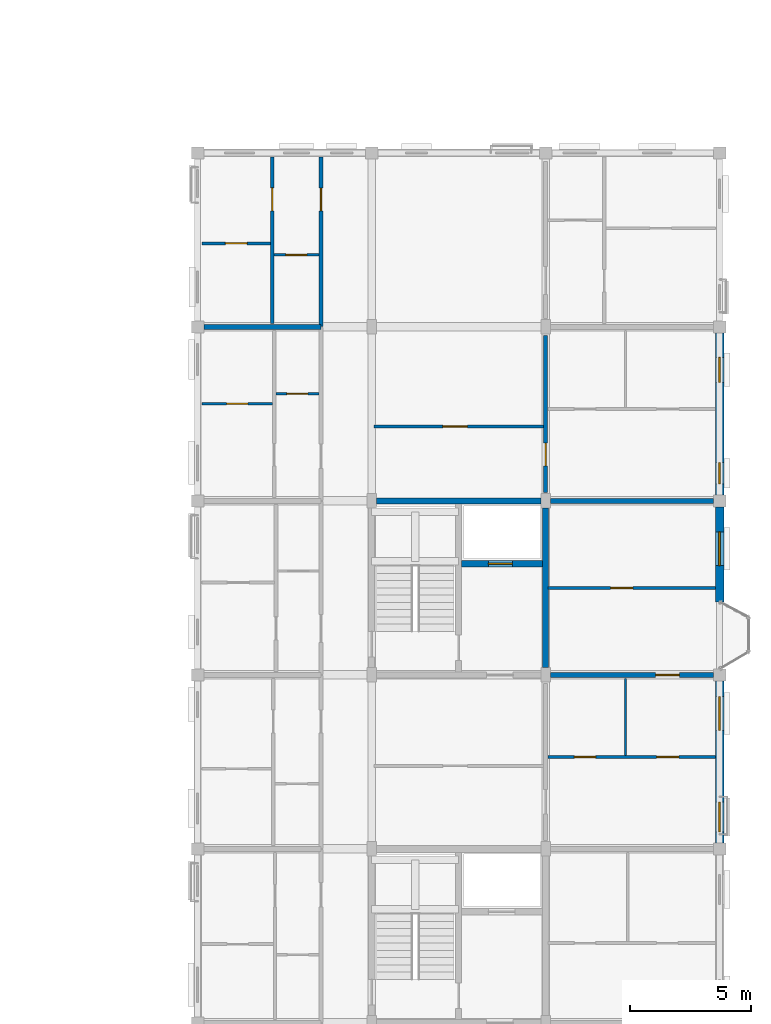
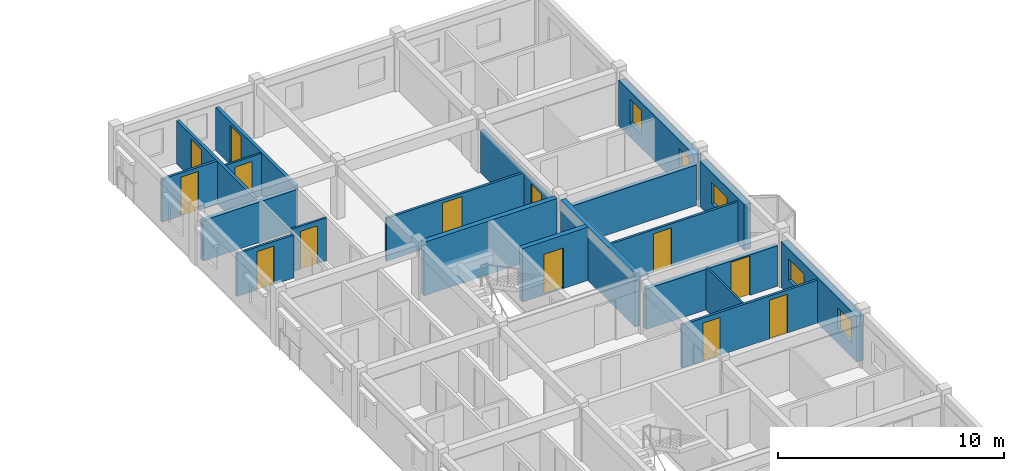
# One storey, part 50 of 64: 20 walls, 13 doors, 5 windows, 18 openings.
"""IFC4 building model written with IfcOpenShell, lengths in metres."""

from ifc_helpers import new_model, si_unit, direction, frame, frame_2d, origin, place, context, subcontext, project, spatial, rectangle, extrude, material, layer, layer_set, type_object, element, fill, save


model = new_model("IFC4")

# Units and contexts
model_context = context("Model", 3, precision=1e-05, world=origin(), true_north=direction((0.0, 1.0)))
body_context = subcontext(model_context, "Body", "Model", "MODEL_VIEW")
ifc_project = project(units=[si_unit("LENGTHUNIT", "METRE"), si_unit("AREAUNIT", "SQUARE_METRE"), si_unit("VOLUMEUNIT", "CUBIC_METRE"), si_unit("PLANEANGLEUNIT", "RADIAN"), si_unit("MASSUNIT", "GRAM", prefix="KILO"), si_unit("THERMODYNAMICTEMPERATUREUNIT", "KELVIN"), si_unit("POWERUNIT", "WATT")], contexts=[model_context])

# Site, building, storey
site_placement = place(None, origin())
site = spatial("IfcSite", under=ifc_project, at=site_placement, CompositionType="ELEMENT")
building_placement = place(site_placement, origin())
building = spatial("IfcBuilding", under=site, at=building_placement, Name="Tavuni Mirador Residences", CompositionType="ELEMENT")
storey_placement = place(building_placement, frame((0.0, 0.0, 26.550048828125)))
storey = spatial("IfcBuildingStorey", under=building, at=storey_placement, Name="L08", CompositionType="ELEMENT", Elevation=26.550048828125)

# Walls
ifc_material_1 = material(Name="Precast concrete C40/50", Category="concrete")
ifc_layer_1 = layer(ifc_material_1, 0.25, Name="Precast concrete C40/50", Category="concrete")
ifc_layer_set_1 = layer_set([ifc_layer_1], Name="Precast concrete C40/50")
wall_type_1 = type_object("IfcWallType", Name="WT-COR250", PredefinedType="SHEAR", material=ifc_layer_set_1)
wall_1_placement = place(storey_placement, frame((104.60009765625, 115.199951171875, 0.0), z_axis=(0.0, 0.0, 1.0), x_axis=(1.0, 0.0, 0.0)))
element("IfcWall", 1, at=wall_1_placement, inside=storey, type_object=wall_type_1, Name="CWALL-C8-L08-N", PredefinedType="SHEAR", context=body_context, shape_type="SweptSolid", body=[
    extrude(rectangle(XDim=6.7998046875, YDim=0.25, at=frame_2d((3.39990234375, 0.0))), origin(), (0.0, 0.0, 1.0), 2.889892578125),
])
wall_2_placement = place(storey_placement, frame((111.60009765625, 108.300048828125, 0.0), z_axis=(0.0, 0.0, 1.0), x_axis=(0.0, 1.0, 0.0)))
element("IfcWall", 2, at=wall_2_placement, inside=storey, type_object=wall_type_1, Name="CWALL-C8-L08-E", PredefinedType="SHEAR", context=body_context, shape_type="SweptSolid", body=[
    extrude(rectangle(XDim=6.599853515625, YDim=0.25, at=frame_2d((3.2998046875, 0.0))), origin(), (0.0, 0.0, 1.0), 2.889892578125),
])

# Wall, opening, door
wall_3_placement = place(storey_placement, frame((108.125, 112.60009765625, 0.0), z_axis=(0.0, 0.0, 1.0), x_axis=(1.0, 0.0, 0.0)))
wall_3 = element("IfcWall", 3, at=wall_3_placement, inside=storey, type_object=wall_type_1, Name="CWALL-C8-L08-SHF", PredefinedType="SHEAR", context=body_context, shape_type="SweptSolid", body=[
    extrude(rectangle(XDim=3.35009765625, YDim=0.25, at=frame_2d((1.675048828125, 0.0))), origin(), (0.0, 0.0, 1.0), 2.889892578125),
])
opening_1_placement = place(wall_3_placement, frame((1.10009765625, 0.0, 0.0)))
opening_1 = element("IfcOpeningElement", 4, at=opening_1_placement, cuts=wall_3, Name="Opening LD-02", PredefinedType="OPENING", context=body_context, shape_type="SweptSolid", body=[
    extrude(rectangle(XDim=1.0, YDim=2.199951171875, at=frame_2d((0.5, 1.10009765625))), frame((0.0, 0.135009765625, 0.0), z_axis=(0.0, -1.0, 0.0), x_axis=(1.0, 0.0, 0.0)), (0.0, 0.0, 1.0), 0.27001953125),
])
ifc_material_2 = material(Name="Structural steel S355", Category="steel")
door_type_1 = type_object("IfcDoorType", Name="DT-LD-PAX", OperationType="SLIDING_TO_LEFT", PredefinedType="DOOR", material=ifc_material_2)
door_1_placement = place(opening_1_placement, origin())
door_1 = element("IfcDoor", 5, at=door_1_placement, inside=storey, type_object=door_type_1, Name="Lift landing door PL-D1 L08", OperationType="SLIDING_TO_LEFT", OverallHeight=2.199951171875, OverallWidth=1.0, PredefinedType="DOOR", context=body_context, shape_type="SweptSolid", body=[
    extrude(rectangle(XDim=1.0, YDim=2.199951171875, at=frame_2d((0.5, 1.10009765625))), frame((0.0, 0.02490234375, 0.0), z_axis=(0.0, -1.0, 0.0), x_axis=(1.0, 0.0, 0.0)), (0.0, 0.0, 1.0), 0.050048828125),
])
fill(opening_1, door_1)

ifc_layer_2 = layer(ifc_material_1, 0.1650390625, Name="Precast concrete C40/50", Category="concrete")
ifc_layer_set_2 = layer_set([ifc_layer_2], Name="Precast concrete C40/50")
wall_type_2 = type_object("IfcWallType", Name="WT-CORR165", PredefinedType="PARTITIONING", material=ifc_layer_set_2)
wall_4_placement = place(storey_placement, frame((102.300048828125, 122.419921875, 0.0), z_axis=(0.0, 0.0, 1.0), x_axis=(0.0, 1.0, 0.0)))
wall_4 = element("IfcWall", 6, at=wall_4_placement, inside=storey, type_object=wall_type_2, Name="CORW-BLK-D-L08-0-05", PredefinedType="PARTITIONING", context=body_context, shape_type="SweptSolid", body=[
    extrude(rectangle(XDim=7.005126953125, YDim=0.1650390625, at=frame_2d((3.50244140625, 0.0))), origin(), (0.0, 0.0, 1.0), 2.324951171875),
])
opening_2_placement = place(wall_4_placement, frame((4.780029296875, 0.0, 0.0)))
opening_2 = element("IfcOpeningElement", 7, at=opening_2_placement, cuts=wall_4, Name="Opening D-19", PredefinedType="OPENING", context=body_context, shape_type="SweptSolid", body=[
    extrude(rectangle(XDim=0.93994140625, YDim=2.1201171875, at=frame_2d((0.469970703125, 1.06005859375))), frame((0.0, 0.092529296875, 0.0), z_axis=(0.0, -1.0, 0.0), x_axis=(1.0, 0.0, 0.0)), (0.0, 0.0, 1.0), 0.18505859375),
])
ifc_material_3 = material(Name="Solid core iroko timber", Category="wood")
door_type_2 = type_object("IfcDoorType", Name="DT-FD60-940", OperationType="NOTDEFINED", PredefinedType="DOOR", material=ifc_material_3)
door_2_placement = place(opening_2_placement, origin())
door_2 = element("IfcDoor", 8, at=door_2_placement, inside=storey, type_object=door_type_2, Name="DR-2908", OperationType="SINGLE_SWING_LEFT", OverallHeight=2.1201171875, OverallWidth=0.93994140625, PredefinedType="DOOR", context=body_context, shape_type="SweptSolid", body=[
    extrude(rectangle(XDim=0.93994140625, YDim=2.1201171875, at=frame_2d((0.469970703125, 1.06005859375))), frame((0.0, 0.02490234375, 0.0), z_axis=(0.0, -1.0, 0.0), x_axis=(1.0, 0.0, 0.0)), (0.0, 0.0, 1.0), 0.050048828125),
])
fill(opening_2, door_2)

wall_5_placement = place(storey_placement, frame((111.60009765625, 115.550048828125, 0.0), z_axis=(0.0, 0.0, 1.0), x_axis=(0.0, 1.0, 0.0)))
wall_5 = element("IfcWall", 9, at=wall_5_placement, inside=storey, type_object=wall_type_2, Name="CORW-BLK-D-L08-1-04", PredefinedType="PARTITIONING", context=body_context, shape_type="SweptSolid", body=[
    extrude(rectangle(XDim=6.5, YDim=0.1650390625, at=frame_2d((3.25, 0.0))), origin(), (0.0, 0.0, 1.0), 2.324951171875),
])
opening_3_placement = place(wall_5_placement, frame((1.10009765625, 0.0, 0.0)))
opening_3 = element("IfcOpeningElement", 10, at=opening_3_placement, cuts=wall_5, Name="Opening D-19", PredefinedType="OPENING", context=body_context, shape_type="SweptSolid", body=[
    extrude(rectangle(XDim=0.93994140625, YDim=2.1201171875, at=frame_2d((0.469970703125, 1.06005859375))), frame((0.0, 0.092529296875, 0.0), z_axis=(0.0, -1.0, 0.0), x_axis=(1.0, 0.0, 0.0)), (0.0, 0.0, 1.0), 0.18505859375),
])
door_3_placement = place(opening_3_placement, origin())
door_3 = element("IfcDoor", 11, at=door_3_placement, inside=storey, type_object=door_type_2, Name="DR-2911", OperationType="SINGLE_SWING_RIGHT", OverallHeight=2.1201171875, OverallWidth=0.93994140625, PredefinedType="DOOR", context=body_context, shape_type="SweptSolid", body=[
    extrude(rectangle(XDim=0.93994140625, YDim=2.1201171875, at=frame_2d((0.469970703125, 1.06005859375))), frame((0.0, 0.02490234375, 0.0), z_axis=(0.0, -1.0, 0.0), x_axis=(1.0, 0.0, 0.0)), (0.0, 0.0, 1.0), 0.050048828125),
])
fill(opening_3, door_3)

# Wall, openings, windows
ifc_material_4 = material(Name="Sgraffito lime-rendered precast concrete C40/50", Category="concrete")
ifc_layer_3 = layer(ifc_material_4, 0.344970703125, Name="Sgraffito lime-rendered precast concrete C40/50", Category="concrete")
ifc_layer_set_3 = layer_set([ifc_layer_3], Name="Sgraffito lime-rendered precast concrete C40/50")
wall_type_3 = type_object("IfcWallType", Name="WT-EXT-PTY345", PredefinedType="SOLIDWALL", material=ifc_layer_set_3)
wall_6_placement = place(storey_placement, frame((118.800048828125, 101.050048828125, 0.0), z_axis=(0.0, 0.0, 1.0), x_axis=(0.0, 1.0, 0.0)))
wall_6 = element("IfcWall", 12, at=wall_6_placement, inside=storey, type_object=wall_type_3, Name="EW-BLK-D-L08-E02", PredefinedType="SOLIDWALL", context=body_context, shape_type="SweptSolid", body=[
    extrude(rectangle(XDim=6.699951171875, YDim=0.344970703125, at=frame_2d((3.35009765625, 0.0))), origin(), (0.0, 0.0, 1.0), 2.4599609375),
])
opening_4_placement = place(wall_6_placement, frame((0.449951171875, 0.0, 0.780029296875)))
opening_4 = element("IfcOpeningElement", 13, at=opening_4_placement, cuts=wall_6, Name="Opening WN-06", PredefinedType="OPENING", context=body_context, shape_type="SweptSolid", body=[
    extrude(rectangle(XDim=1.239990234375, YDim=1.14990234375, at=frame_2d((0.6201171875, 0.574951171875))), frame((0.0, 0.1826171875, 0.0), z_axis=(0.0, -1.0, 0.0), x_axis=(1.0, 0.0, 0.0)), (0.0, 0.0, 1.0), 0.364990234375),
])
opening_5_placement = place(wall_6_placement, frame((4.64990234375, 0.0, 0.780029296875)))
opening_5 = element("IfcOpeningElement", 14, at=opening_5_placement, cuts=wall_6, Name="Opening WN-08", PredefinedType="OPENING", context=body_context, shape_type="SweptSolid", body=[
    extrude(rectangle(XDim=1.39990234375, YDim=1.14990234375, at=frame_2d((0.699951171875, 0.574951171875))), frame((0.0, 0.1826171875, 0.0), z_axis=(0.0, -1.0, 0.0), x_axis=(1.0, 0.0, 0.0)), (0.0, 0.0, 1.0), 0.364990234375),
])
ifc_material_5 = material(Name="Laminated solar-control glass", Category="glass")
window_type_1 = type_object("IfcWindowType", Name="WNT-06", PartitioningType="SINGLE_PANEL", PredefinedType="WINDOW", material=ifc_material_5)
window_1_placement = place(opening_4_placement, origin())
window_1 = element("IfcWindow", 15, at=window_1_placement, inside=storey, type_object=window_type_1, Name="WIN-1737", OverallHeight=1.14990234375, OverallWidth=1.239990234375, PartitioningType="SINGLE_PANEL", PredefinedType="WINDOW", context=body_context, shape_type="SweptSolid", body=[
    extrude(rectangle(XDim=1.239990234375, YDim=1.14990234375, at=frame_2d((0.6201171875, 0.574951171875))), frame((0.0, 0.030029296875, 0.0), z_axis=(0.0, -1.0, 0.0), x_axis=(1.0, 0.0, 0.0)), (0.0, 0.0, 1.0), 0.06005859375),
])
fill(opening_4, window_1)
window_type_2 = type_object("IfcWindowType", Name="WNT-08", PartitioningType="SINGLE_PANEL", PredefinedType="WINDOW", material=ifc_material_5)
window_2_placement = place(opening_5_placement, origin())
window_2 = element("IfcWindow", 16, at=window_2_placement, inside=storey, type_object=window_type_2, Name="WIN-1738", OverallHeight=1.14990234375, OverallWidth=1.39990234375, PartitioningType="SINGLE_PANEL", PredefinedType="WINDOW", context=body_context, shape_type="SweptSolid", body=[
    extrude(rectangle(XDim=1.39990234375, YDim=1.14990234375, at=frame_2d((0.699951171875, 0.574951171875))), frame((0.0, 0.030029296875, 0.0), z_axis=(0.0, -1.0, 0.0), x_axis=(1.0, 0.0, 0.0)), (0.0, 0.0, 1.0), 0.06005859375),
])
fill(opening_5, window_2)

# Wall, opening, window
wall_7_placement = place(storey_placement, frame((118.800048828125, 111.02001953125, 0.0), z_axis=(0.0, 0.0, 1.0), x_axis=(0.0, 1.0, 0.0)))
wall_7 = element("IfcWall", 17, at=wall_7_placement, inside=storey, type_object=wall_type_3, Name="EW-BLK-D-L08-E03", PredefinedType="SOLIDWALL", context=body_context, shape_type="SweptSolid", body=[
    extrude(rectangle(XDim=3.929931640625, YDim=0.344970703125, at=frame_2d((1.96484375, 0.0))), origin(), (0.0, 0.0, 1.0), 2.4599609375),
])
opening_6_placement = place(wall_7_placement, frame((1.5, 0.0, 0.780029296875)))
opening_6 = element("IfcOpeningElement", 18, at=opening_6_placement, cuts=wall_7, Name="Opening WN-08", PredefinedType="OPENING", context=body_context, shape_type="SweptSolid", body=[
    extrude(rectangle(XDim=1.39990234375, YDim=1.14990234375, at=frame_2d((0.699951171875, 0.574951171875))), frame((0.0, 0.1826171875, 0.0), z_axis=(0.0, -1.0, 0.0), x_axis=(1.0, 0.0, 0.0)), (0.0, 0.0, 1.0), 0.364990234375),
])
window_3_placement = place(opening_6_placement, origin())
window_3 = element("IfcWindow", 19, at=window_3_placement, inside=storey, type_object=window_type_2, Name="WIN-1739", OverallHeight=1.14990234375, OverallWidth=1.39990234375, PartitioningType="SINGLE_PANEL", PredefinedType="WINDOW", context=body_context, shape_type="SweptSolid", body=[
    extrude(rectangle(XDim=1.39990234375, YDim=1.14990234375, at=frame_2d((0.699951171875, 0.574951171875))), frame((0.0, 0.030029296875, 0.0), z_axis=(0.0, -1.0, 0.0), x_axis=(1.0, 0.0, 0.0)), (0.0, 0.0, 1.0), 0.06005859375),
])
fill(opening_6, window_3)

# Wall, openings, windows
wall_8_placement = place(storey_placement, frame((118.800048828125, 115.449951171875, 0.0), z_axis=(0.0, 0.0, 1.0), x_axis=(0.0, 1.0, 0.0)))
wall_8 = element("IfcWall", 20, at=wall_8_placement, inside=storey, type_object=wall_type_3, Name="EW-BLK-D-L08-E04", PredefinedType="SOLIDWALL", context=body_context, shape_type="SweptSolid", body=[
    extrude(rectangle(XDim=6.699951171875, YDim=0.344970703125, at=frame_2d((3.35009765625, 0.0))), origin(), (0.0, 0.0, 1.0), 2.4599609375),
])
opening_7_placement = place(wall_8_placement, frame((0.449951171875, 0.0, 0.780029296875)))
opening_7 = element("IfcOpeningElement", 21, at=opening_7_placement, cuts=wall_8, Name="Opening WN-09", PredefinedType="OPENING", context=body_context, shape_type="SweptSolid", body=[
    extrude(rectangle(XDim=0.8798828125, YDim=1.260009765625, at=frame_2d((0.43994140625, 0.6298828125))), frame((0.0, 0.1826171875, 0.0), z_axis=(0.0, -1.0, 0.0), x_axis=(1.0, 0.0, 0.0)), (0.0, 0.0, 1.0), 0.364990234375),
])
opening_8_placement = place(wall_8_placement, frame((4.64990234375, 0.0, 0.780029296875)))
opening_8 = element("IfcOpeningElement", 22, at=opening_8_placement, cuts=wall_8, Name="Opening WN-11", PredefinedType="OPENING", context=body_context, shape_type="SweptSolid", body=[
    extrude(rectangle(XDim=1.0400390625, YDim=1.260009765625, at=frame_2d((0.52001953125, 0.6298828125))), frame((0.0, 0.1826171875, 0.0), z_axis=(0.0, -1.0, 0.0), x_axis=(1.0, 0.0, 0.0)), (0.0, 0.0, 1.0), 0.364990234375),
])
window_type_3 = type_object("IfcWindowType", Name="WNT-09", PartitioningType="SINGLE_PANEL", PredefinedType="WINDOW", material=ifc_material_5)
window_4_placement = place(opening_7_placement, origin())
window_4 = element("IfcWindow", 23, at=window_4_placement, inside=storey, type_object=window_type_3, Name="WIN-1740", OverallHeight=1.260009765625, OverallWidth=0.8798828125, PartitioningType="SINGLE_PANEL", PredefinedType="WINDOW", context=body_context, shape_type="SweptSolid", body=[
    extrude(rectangle(XDim=0.8798828125, YDim=1.260009765625, at=frame_2d((0.43994140625, 0.6298828125))), frame((0.0, 0.030029296875, 0.0), z_axis=(0.0, -1.0, 0.0), x_axis=(1.0, 0.0, 0.0)), (0.0, 0.0, 1.0), 0.06005859375),
])
fill(opening_7, window_4)
window_type_4 = type_object("IfcWindowType", Name="WNT-11", PartitioningType="SINGLE_PANEL", PredefinedType="WINDOW", material=ifc_material_5)
window_5_placement = place(opening_8_placement, origin())
window_5 = element("IfcWindow", 24, at=window_5_placement, inside=storey, type_object=window_type_4, Name="WIN-1741", OverallHeight=1.260009765625, OverallWidth=1.0400390625, PartitioningType="SINGLE_PANEL", PredefinedType="WINDOW", context=body_context, shape_type="SweptSolid", body=[
    extrude(rectangle(XDim=1.0400390625, YDim=1.260009765625, at=frame_2d((0.52001953125, 0.6298828125))), frame((0.0, 0.030029296875, 0.0), z_axis=(0.0, -1.0, 0.0), x_axis=(1.0, 0.0, 0.0)), (0.0, 0.0, 1.0), 0.06005859375),
])
fill(opening_8, window_5)

# Wall
ifc_material_6 = material(Name="Acoustic gypsum and concrete block partition", Category="concrete")
ifc_layer_4 = layer(ifc_material_6, 0.094970703125, Name="Acoustic gypsum and concrete block partition", Category="concrete")
ifc_layer_set_4 = layer_set([ifc_layer_4], Name="Acoustic gypsum and concrete block partition")
wall_type_4 = type_object("IfcWallType", Name="WT-PART095", PredefinedType="PARTITIONING", material=ifc_layer_set_4)
wall_9_placement = place(storey_placement, frame((114.89990234375, 104.669921875, 0.0), z_axis=(0.0, 0.0, 1.0), x_axis=(0.0, 1.0, 0.0)))
element("IfcWall", 25, at=wall_9_placement, inside=storey, type_object=wall_type_4, Name="PW-BLK-D-L08-PF02-V", PredefinedType="PARTITIONING", context=body_context, shape_type="SweptSolid", body=[
    extrude(rectangle(XDim=3.190185546875, YDim=0.094970703125, at=frame_2d((1.59521484375, 0.0))), origin(), (0.0, 0.0, 1.0), 2.324951171875),
])

# Wall, opening, door
wall_10_placement = place(storey_placement, frame((100.35009765625, 125.3798828125, 0.0), z_axis=(0.0, 0.0, 1.0), x_axis=(1.0, 0.0, 0.0)))
wall_10 = element("IfcWall", 26, at=wall_10_placement, inside=storey, type_object=wall_type_4, Name="PW-BLK-D-L08-W05-IN1", PredefinedType="PARTITIONING", context=body_context, shape_type="SweptSolid", body=[
    extrude(rectangle(XDim=1.85986328125, YDim=0.094970703125, at=frame_2d((0.929931640625, 0.0))), origin(), (0.0, 0.0, 1.0), 2.324951171875),
])
opening_9_placement = place(wall_10_placement, frame((0.4951171875, 0.0, 0.0)))
opening_9 = element("IfcOpeningElement", 27, at=opening_9_placement, cuts=wall_10, Name="Opening D-10", PredefinedType="OPENING", context=body_context, shape_type="SweptSolid", body=[
    extrude(rectangle(XDim=0.8701171875, YDim=2.050048828125, at=frame_2d((0.43505859375, 1.02490234375))), frame((0.0, 0.0576171875, 0.0), z_axis=(0.0, -1.0, 0.0), x_axis=(1.0, 0.0, 0.0)), (0.0, 0.0, 1.0), 0.114990234375),
])
door_type_3 = type_object("IfcDoorType", Name="DT-WC870", OperationType="NOTDEFINED", PredefinedType="DOOR", material=ifc_material_3)
door_4_placement = place(opening_9_placement, origin())
door_4 = element("IfcDoor", 28, at=door_4_placement, inside=storey, type_object=door_type_3, Name="DR-4609", OperationType="SINGLE_SWING_RIGHT", OverallHeight=2.050048828125, OverallWidth=0.8701171875, PredefinedType="DOOR", context=body_context, shape_type="SweptSolid", body=[
    extrude(rectangle(XDim=0.8701171875, YDim=2.050048828125, at=frame_2d((0.43505859375, 1.02490234375))), frame((0.0, 0.02490234375, 0.0), z_axis=(0.0, -1.0, 0.0), x_axis=(1.0, 0.0, 0.0)), (0.0, 0.0, 1.0), 0.050048828125),
])
fill(opening_9, door_4)

ifc_layer_5 = layer(ifc_material_6, 0.10498046875, Name="Acoustic gypsum and concrete block partition", Category="concrete")
ifc_layer_set_5 = layer_set([ifc_layer_5], Name="Acoustic gypsum and concrete block partition")
wall_type_5 = type_object("IfcWallType", Name="WT-PART105", PredefinedType="PARTITIONING", material=ifc_layer_set_5)
wall_11_placement = place(storey_placement, frame((100.429931640625, 119.639892578125, 0.0), z_axis=(0.0, 0.0, 1.0), x_axis=(1.0, 0.0, 0.0)))
wall_11 = element("IfcWall", 29, at=wall_11_placement, inside=storey, type_object=wall_type_5, Name="PW-BLK-D-L08-W04-IN1", PredefinedType="PARTITIONING", context=body_context, shape_type="SweptSolid", body=[
    extrude(rectangle(XDim=1.780029296875, YDim=0.10498046875, at=frame_2d((0.89013671875, 0.0))), origin(), (0.0, 0.0, 1.0), 2.324951171875),
])
opening_10_placement = place(wall_11_placement, frame((0.455078125, 0.0, 0.0)))
opening_10 = element("IfcOpeningElement", 30, at=opening_10_placement, cuts=wall_11, Name="Opening D-10", PredefinedType="OPENING", context=body_context, shape_type="SweptSolid", body=[
    extrude(rectangle(XDim=0.8701171875, YDim=2.050048828125, at=frame_2d((0.43505859375, 1.02490234375))), frame((0.0, 0.0625, 0.0), z_axis=(0.0, -1.0, 0.0), x_axis=(1.0, 0.0, 0.0)), (0.0, 0.0, 1.0), 0.125),
])
door_5_placement = place(opening_10_placement, origin())
door_5 = element("IfcDoor", 31, at=door_5_placement, inside=storey, type_object=door_type_3, Name="DR-4604", OperationType="SINGLE_SWING_LEFT", OverallHeight=2.050048828125, OverallWidth=0.8701171875, PredefinedType="DOOR", context=body_context, shape_type="SweptSolid", body=[
    extrude(rectangle(XDim=0.8701171875, YDim=2.050048828125, at=frame_2d((0.43505859375, 1.02490234375))), frame((0.0, 0.02490234375, 0.0), z_axis=(0.0, -1.0, 0.0), x_axis=(1.0, 0.0, 0.0)), (0.0, 0.0, 1.0), 0.050048828125),
])
fill(opening_10, door_5)

ifc_layer_6 = layer(ifc_material_6, 0.114990234375, Name="Acoustic gypsum and concrete block partition", Category="concrete")
ifc_layer_set_6 = layer_set([ifc_layer_6], Name="Acoustic gypsum and concrete block partition")
wall_type_6 = type_object("IfcWallType", Name="WT-PART115", PredefinedType="PARTITIONING", material=ifc_layer_set_6)
wall_12_placement = place(storey_placement, frame((111.68994140625, 111.60009765625, 0.0), z_axis=(0.0, 0.0, 1.0), x_axis=(1.0, 0.0, 0.0)))
wall_12 = element("IfcWall", 32, at=wall_12_placement, inside=storey, type_object=wall_type_6, Name="PW-BLK-D-L08-PF03-H", PredefinedType="PARTITIONING", context=body_context, shape_type="SweptSolid", body=[
    extrude(rectangle(XDim=6.93505859375, YDim=0.114990234375, at=frame_2d((3.467529296875, 0.0))), origin(), (0.0, 0.0, 1.0), 2.324951171875),
])
opening_11_placement = place(wall_12_placement, frame((2.60009765625, 0.0, 0.0)))
opening_11 = element("IfcOpeningElement", 33, at=opening_11_placement, cuts=wall_12, Name="Opening D-06", PredefinedType="OPENING", context=body_context, shape_type="SweptSolid", body=[
    extrude(rectangle(XDim=0.919921875, YDim=2.10009765625, at=frame_2d((0.4599609375, 1.050048828125))), frame((0.0, 0.0673828125, 0.0), z_axis=(0.0, -1.0, 0.0), x_axis=(1.0, 0.0, 0.0)), (0.0, 0.0, 1.0), 0.135009765625),
])
door_type_4 = type_object("IfcDoorType", Name="DT-INT920", OperationType="NOTDEFINED", PredefinedType="DOOR", material=ifc_material_3)
door_6_placement = place(opening_11_placement, origin())
door_6 = element("IfcDoor", 34, at=door_6_placement, inside=storey, type_object=door_type_4, Name="DR-4601", OperationType="SINGLE_SWING_RIGHT", OverallHeight=2.10009765625, OverallWidth=0.919921875, PredefinedType="DOOR", context=body_context, shape_type="SweptSolid", body=[
    extrude(rectangle(XDim=0.919921875, YDim=2.10009765625, at=frame_2d((0.4599609375, 1.050048828125))), frame((0.0, 0.02490234375, 0.0), z_axis=(0.0, -1.0, 0.0), x_axis=(1.0, 0.0, 0.0)), (0.0, 0.0, 1.0), 0.050048828125),
])
fill(opening_11, door_6)

wall_13_placement = place(storey_placement, frame((97.375, 119.219970703125, 0.0), z_axis=(0.0, 0.0, 1.0), x_axis=(1.0, 0.0, 0.0)))
wall_13 = element("IfcWall", 35, at=wall_13_placement, inside=storey, type_object=wall_type_6, Name="PW-BLK-D-L08-W04-OUT", PredefinedType="PARTITIONING", context=body_context, shape_type="SweptSolid", body=[
    extrude(rectangle(XDim=2.9150390625, YDim=0.114990234375, at=frame_2d((1.45751953125, 0.0))), origin(), (0.0, 0.0, 1.0), 2.324951171875),
])
opening_12_placement = place(wall_13_placement, frame((1.017578125, 0.0, 0.0)))
opening_12 = element("IfcOpeningElement", 36, at=opening_12_placement, cuts=wall_13, Name="Opening D-08", PredefinedType="OPENING", context=body_context, shape_type="SweptSolid", body=[
    extrude(rectangle(XDim=0.8798828125, YDim=2.080078125, at=frame_2d((0.43994140625, 1.0400390625))), frame((0.0, 0.0673828125, 0.0), z_axis=(0.0, -1.0, 0.0), x_axis=(1.0, 0.0, 0.0)), (0.0, 0.0, 1.0), 0.135009765625),
])
door_type_5 = type_object("IfcDoorType", Name="DT-BED880", OperationType="NOTDEFINED", PredefinedType="DOOR", material=ifc_material_3)
door_7_placement = place(opening_12_placement, origin())
door_7 = element("IfcDoor", 37, at=door_7_placement, inside=storey, type_object=door_type_5, Name="DR-4603", OperationType="SINGLE_SWING_RIGHT", OverallHeight=2.080078125, OverallWidth=0.8798828125, PredefinedType="DOOR", context=body_context, shape_type="SweptSolid", body=[
    extrude(rectangle(XDim=0.8798828125, YDim=2.080078125, at=frame_2d((0.43994140625, 1.0400390625))), frame((0.0, 0.02490234375, 0.0), z_axis=(0.0, -1.0, 0.0), x_axis=(1.0, 0.0, 0.0)), (0.0, 0.0, 1.0), 0.050048828125),
])
fill(opening_12, door_7)

# Wall, openings, doors
ifc_layer_7 = layer(ifc_material_6, 0.125, Name="Acoustic gypsum and concrete block partition", Category="concrete")
ifc_layer_set_7 = layer_set([ifc_layer_7], Name="Acoustic gypsum and concrete block partition")
wall_type_7 = type_object("IfcWallType", Name="WT-PART125", PredefinedType="PARTITIONING", material=ifc_layer_set_7)
wall_14_placement = place(storey_placement, frame((111.68994140625, 104.60009765625, 0.0), z_axis=(0.0, 0.0, 1.0), x_axis=(1.0, 0.0, 0.0)))
wall_14 = element("IfcWall", 38, at=wall_14_placement, inside=storey, type_object=wall_type_7, Name="PW-BLK-D-L08-PF02-H", PredefinedType="PARTITIONING", context=body_context, shape_type="SweptSolid", body=[
    extrude(rectangle(XDim=6.93505859375, YDim=0.125, at=frame_2d((3.467529296875, 0.0))), origin(), (0.0, 0.0, 1.0), 2.324951171875),
])
opening_13_placement = place(wall_14_placement, frame((1.10009765625, 0.0, 0.0)))
opening_13 = element("IfcOpeningElement", 39, at=opening_13_placement, cuts=wall_14, Name="Opening D-10", PredefinedType="OPENING", context=body_context, shape_type="SweptSolid", body=[
    extrude(rectangle(XDim=0.8701171875, YDim=2.050048828125, at=frame_2d((0.43505859375, 1.02490234375))), frame((0.0, 0.072509765625, 0.0), z_axis=(0.0, -1.0, 0.0), x_axis=(1.0, 0.0, 0.0)), (0.0, 0.0, 1.0), 0.14501953125),
])
opening_14_placement = place(wall_14_placement, frame((4.5, 0.0, 0.0)))
opening_14 = element("IfcOpeningElement", 40, at=opening_14_placement, cuts=wall_14, Name="Opening D-06", PredefinedType="OPENING", context=body_context, shape_type="SweptSolid", body=[
    extrude(rectangle(XDim=0.919921875, YDim=2.10009765625, at=frame_2d((0.4599609375, 1.050048828125))), frame((0.0, 0.072509765625, 0.0), z_axis=(0.0, -1.0, 0.0), x_axis=(1.0, 0.0, 0.0)), (0.0, 0.0, 1.0), 0.14501953125),
])
door_8_placement = place(opening_14_placement, origin())
door_8 = element("IfcDoor", 41, at=door_8_placement, inside=storey, type_object=door_type_4, Name="DR-4597", OperationType="SINGLE_SWING_RIGHT", OverallHeight=2.10009765625, OverallWidth=0.919921875, PredefinedType="DOOR", context=body_context, shape_type="SweptSolid", body=[
    extrude(rectangle(XDim=0.919921875, YDim=2.10009765625, at=frame_2d((0.4599609375, 1.050048828125))), frame((0.0, 0.02490234375, 0.0), z_axis=(0.0, -1.0, 0.0), x_axis=(1.0, 0.0, 0.0)), (0.0, 0.0, 1.0), 0.050048828125),
])
fill(opening_14, door_8)
door_9_placement = place(opening_13_placement, origin())
door_9 = element("IfcDoor", 42, at=door_9_placement, inside=storey, type_object=door_type_3, Name="DR-4596", OperationType="SINGLE_SWING_LEFT", OverallHeight=2.050048828125, OverallWidth=0.8701171875, PredefinedType="DOOR", context=body_context, shape_type="SweptSolid", body=[
    extrude(rectangle(XDim=0.8701171875, YDim=2.050048828125, at=frame_2d((0.43505859375, 1.02490234375))), frame((0.0, 0.02490234375, 0.0), z_axis=(0.0, -1.0, 0.0), x_axis=(1.0, 0.0, 0.0)), (0.0, 0.0, 1.0), 0.050048828125),
])
fill(opening_13, door_9)

# Wall, opening, door
wall_15_placement = place(storey_placement, frame((104.489990234375, 118.280029296875, 0.0), z_axis=(0.0, 0.0, 1.0), x_axis=(1.0, 0.0, 0.0)))
wall_15 = element("IfcWall", 43, at=wall_15_placement, inside=storey, type_object=wall_type_7, Name="PW-SPN-BLK-D-L08-04", PredefinedType="PARTITIONING", context=body_context, shape_type="SweptSolid", body=[
    extrude(rectangle(XDim=7.02001953125, YDim=0.125, at=frame_2d((3.510009765625, 0.0))), origin(), (0.0, 0.0, 1.0), 2.324951171875),
])
opening_15_placement = place(wall_15_placement, frame((2.85009765625, 0.0, 0.0)))
opening_15 = element("IfcOpeningElement", 44, at=opening_15_placement, cuts=wall_15, Name="Opening D-13", PredefinedType="OPENING", context=body_context, shape_type="SweptSolid", body=[
    extrude(rectangle(XDim=1.02001953125, YDim=2.14990234375, at=frame_2d((0.510009765625, 1.074951171875))), frame((0.0, 0.072509765625, 0.0), z_axis=(0.0, -1.0, 0.0), x_axis=(1.0, 0.0, 0.0)), (0.0, 0.0, 1.0), 0.14501953125),
])
door_type_6 = type_object("IfcDoorType", Name="DT-MTG1020", OperationType="NOTDEFINED", PredefinedType="DOOR", material=ifc_material_3)
door_10_placement = place(opening_15_placement, origin())
door_10 = element("IfcDoor", 45, at=door_10_placement, inside=storey, type_object=door_type_6, Name="DR-4602", OperationType="SINGLE_SWING_LEFT", OverallHeight=2.14990234375, OverallWidth=1.02001953125, PredefinedType="DOOR", context=body_context, shape_type="SweptSolid", body=[
    extrude(rectangle(XDim=1.02001953125, YDim=2.14990234375, at=frame_2d((0.510009765625, 1.074951171875))), frame((0.0, 0.02490234375, 0.0), z_axis=(0.0, -1.0, 0.0), x_axis=(1.0, 0.0, 0.0)), (0.0, 0.0, 1.0), 0.050048828125),
])
fill(opening_15, door_10)

wall_16_placement = place(storey_placement, frame((97.375, 125.860107421875, 0.0), z_axis=(0.0, 0.0, 1.0), x_axis=(1.0, 0.0, 0.0)))
wall_16 = element("IfcWall", 46, at=wall_16_placement, inside=storey, type_object=wall_type_7, Name="PW-BLK-D-L08-W05-OUT", PredefinedType="PARTITIONING", context=body_context, shape_type="SweptSolid", body=[
    extrude(rectangle(XDim=2.8349609375, YDim=0.125, at=frame_2d((1.41748046875, 0.0))), origin(), (0.0, 0.0, 1.0), 2.324951171875),
])
opening_16_placement = place(wall_16_placement, frame((0.967529296875, 0.0, 0.0)))
opening_16 = element("IfcOpeningElement", 47, at=opening_16_placement, cuts=wall_16, Name="Opening D-07", PredefinedType="OPENING", context=body_context, shape_type="SweptSolid", body=[
    extrude(rectangle(XDim=0.89990234375, YDim=2.10009765625, at=frame_2d((0.449951171875, 1.050048828125))), frame((0.0, 0.072509765625, 0.0), z_axis=(0.0, -1.0, 0.0), x_axis=(1.0, 0.0, 0.0)), (0.0, 0.0, 1.0), 0.14501953125),
])
door_type_7 = type_object("IfcDoorType", Name="DT-BED900", OperationType="NOTDEFINED", PredefinedType="DOOR", material=ifc_material_3)
door_11_placement = place(opening_16_placement, origin())
door_11 = element("IfcDoor", 48, at=door_11_placement, inside=storey, type_object=door_type_7, Name="DR-4608", OperationType="SINGLE_SWING_LEFT", OverallHeight=2.10009765625, OverallWidth=0.89990234375, PredefinedType="DOOR", context=body_context, shape_type="SweptSolid", body=[
    extrude(rectangle(XDim=0.89990234375, YDim=2.10009765625, at=frame_2d((0.449951171875, 1.050048828125))), frame((0.0, 0.02490234375, 0.0), z_axis=(0.0, -1.0, 0.0), x_axis=(1.0, 0.0, 0.0)), (0.0, 0.0, 1.0), 0.050048828125),
])
fill(opening_16, door_11)

ifc_layer_8 = layer(ifc_material_6, 0.14990234375, Name="Acoustic gypsum and concrete block partition", Category="concrete")
ifc_layer_set_8 = layer_set([ifc_layer_8], Name="Acoustic gypsum and concrete block partition")
wall_type_8 = type_object("IfcWallType", Name="WT-PART150", PredefinedType="PARTITIONING", material=ifc_layer_set_8)
wall_17_placement = place(storey_placement, frame((100.280029296875, 122.5400390625, 0.0), z_axis=(0.0, 0.0, 1.0), x_axis=(0.0, 1.0, 0.0)))
wall_17 = element("IfcWall", 49, at=wall_17_placement, inside=storey, type_object=wall_type_8, Name="PW-BLK-D-L08-W05-MID", PredefinedType="PARTITIONING", context=body_context, shape_type="SweptSolid", body=[
    extrude(rectangle(XDim=6.885009765625, YDim=0.14990234375, at=frame_2d((3.4423828125, 0.0))), origin(), (0.0, 0.0, 1.0), 2.324951171875),
])
opening_17_placement = place(wall_17_placement, frame((4.659912109375, 0.0, 0.0)))
opening_17 = element("IfcOpeningElement", 50, at=opening_17_placement, cuts=wall_17, Name="Opening D-05", PredefinedType="OPENING", context=body_context, shape_type="SweptSolid", body=[
    extrude(rectangle(XDim=0.949951171875, YDim=2.10009765625, at=frame_2d((0.47509765625, 1.050048828125))), frame((0.0, 0.0849609375, 0.0), z_axis=(0.0, -1.0, 0.0), x_axis=(1.0, 0.0, 0.0)), (0.0, 0.0, 1.0), 0.169921875),
])
door_type_8 = type_object("IfcDoorType", Name="DT-INT950", OperationType="NOTDEFINED", PredefinedType="DOOR", material=ifc_material_3)
door_12_placement = place(opening_17_placement, origin())
door_12 = element("IfcDoor", 51, at=door_12_placement, inside=storey, type_object=door_type_8, Name="DR-4610", OperationType="SINGLE_SWING_LEFT", OverallHeight=2.10009765625, OverallWidth=0.949951171875, PredefinedType="DOOR", context=body_context, shape_type="SweptSolid", body=[
    extrude(rectangle(XDim=0.949951171875, YDim=2.10009765625, at=frame_2d((0.47509765625, 1.050048828125))), frame((0.0, 0.02490234375, 0.0), z_axis=(0.0, -1.0, 0.0), x_axis=(1.0, 0.0, 0.0)), (0.0, 0.0, 1.0), 0.050048828125),
])
fill(opening_17, door_12)

ifc_layer_9 = layer(ifc_material_1, 0.215087890625, Name="Precast concrete C40/50", Category="concrete")
ifc_layer_set_9 = layer_set([ifc_layer_9], Name="Precast concrete C40/50")
wall_type_9 = type_object("IfcWallType", Name="WT-XW215", PredefinedType="SOLIDWALL", material=ifc_layer_set_9)
wall_18_placement = place(storey_placement, frame((111.800048828125, 108.0, 0.0), z_axis=(0.0, 0.0, 1.0), x_axis=(1.0, 0.0, 0.0)))
wall_18 = element("IfcWall", 52, at=wall_18_placement, inside=storey, type_object=wall_type_9, Name="XW-BLK-D-L08-E-03", PredefinedType="SOLIDWALL", context=body_context, shape_type="SweptSolid", body=[
    extrude(rectangle(XDim=6.75, YDim=0.215087890625, at=frame_2d((3.375, 0.0))), origin(), (0.0, 0.0, 1.0), 2.18994140625),
])
opening_18_placement = place(wall_18_placement, frame((4.35009765625, 0.0, 0.0)))
opening_18 = element("IfcOpeningElement", 53, at=opening_18_placement, cuts=wall_18, Name="Opening D-04", PredefinedType="OPENING", context=body_context, shape_type="SweptSolid", body=[
    extrude(rectangle(XDim=0.97998046875, YDim=2.1201171875, at=frame_2d((0.489990234375, 1.06005859375))), frame((0.0, 0.11767578125, 0.0), z_axis=(0.0, -1.0, 0.0), x_axis=(1.0, 0.0, 0.0)), (0.0, 0.0, 1.0), 0.235107421875),
])
door_type_9 = type_object("IfcDoorType", Name="DT-FD60-980", OperationType="NOTDEFINED", PredefinedType="DOOR", material=ifc_material_3)
door_13_placement = place(opening_18_placement, origin())
door_13 = element("IfcDoor", 54, at=door_13_placement, inside=storey, type_object=door_type_9, Name="DR-4775", OperationType="SINGLE_SWING_RIGHT", OverallHeight=2.1201171875, OverallWidth=0.97998046875, PredefinedType="DOOR", context=body_context, shape_type="SweptSolid", body=[
    extrude(rectangle(XDim=0.97998046875, YDim=2.1201171875, at=frame_2d((0.489990234375, 1.06005859375))), frame((0.0, 0.02490234375, 0.0), z_axis=(0.0, -1.0, 0.0), x_axis=(1.0, 0.0, 0.0)), (0.0, 0.0, 1.0), 0.050048828125),
])
fill(opening_18, door_13)

# Walls
wall_19_placement = place(storey_placement, frame((111.800048828125, 115.199951171875, 0.0), z_axis=(0.0, 0.0, 1.0), x_axis=(1.0, 0.0, 0.0)))
element("IfcWall", 55, at=wall_19_placement, inside=storey, type_object=wall_type_9, Name="XW-BLK-D-L08-E-04", PredefinedType="SOLIDWALL", context=body_context, shape_type="SweptSolid", body=[
    extrude(rectangle(XDim=6.75, YDim=0.215087890625, at=frame_2d((3.375, 0.0))), origin(), (0.0, 0.0, 1.0), 2.18994140625),
])
wall_20_placement = place(storey_placement, frame((97.449951171875, 122.39990234375, 0.0), z_axis=(0.0, 0.0, 1.0), x_axis=(1.0, 0.0, 0.0)))
element("IfcWall", 56, at=wall_20_placement, inside=storey, type_object=wall_type_9, Name="XW-BLK-D-L08-W-05", PredefinedType="SOLIDWALL", context=body_context, shape_type="SweptSolid", body=[
    extrude(rectangle(XDim=4.85009765625, YDim=0.215087890625, at=frame_2d((2.425048828125, 0.0))), origin(), (0.0, 0.0, 1.0), 2.18994140625),
])

save(model, "model.ifc")
